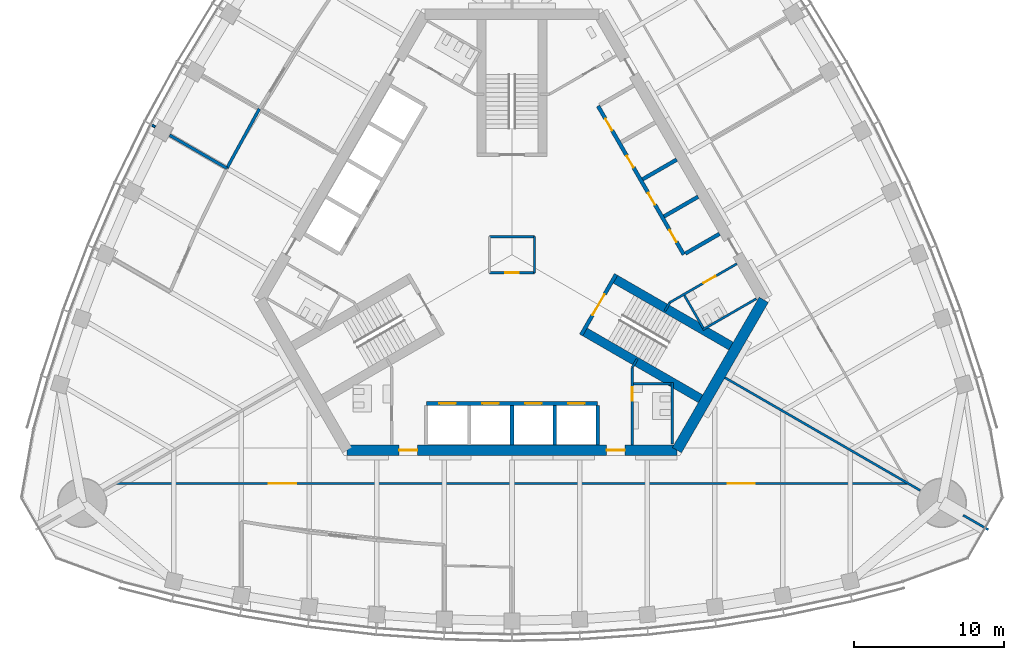
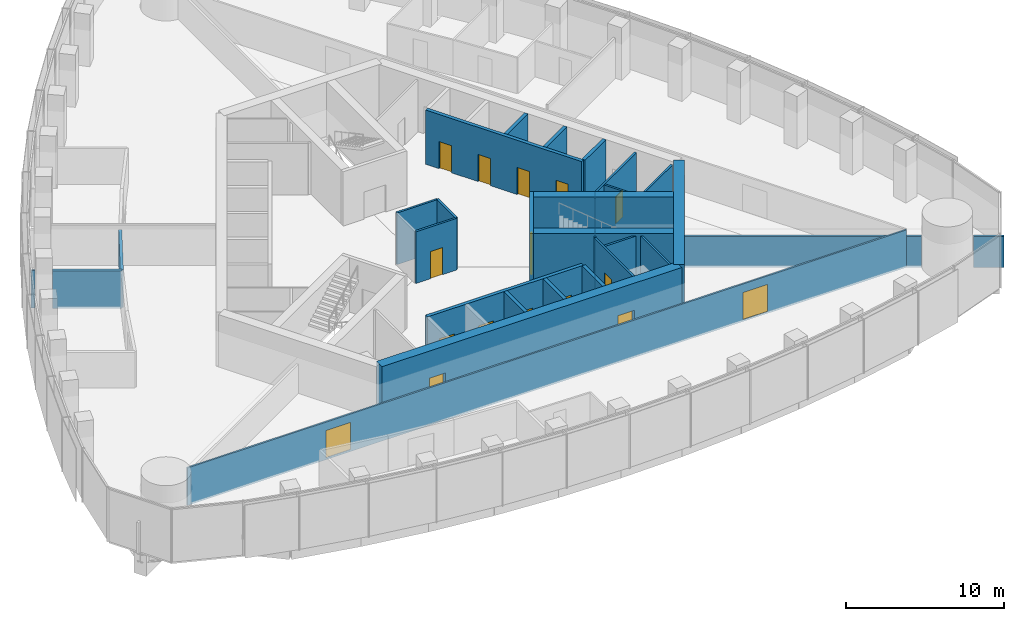
# One storey, part 12 of 19: 30 walls, 16 doors, 16 openings.
"""IFC4 building model written with IfcOpenShell, lengths in metres."""

from ifc_helpers import new_model, si_unit, direction, frame, frame_2d, origin, place, context, subcontext, project, spatial, rectangle, extrude, material, layer, layer_set, type_object, element, fill, save


model = new_model("IFC4")

# Units and contexts
model_context = context("Model", 3, precision=1e-05, world=origin(), true_north=direction((0.0, 1.0)))
body_context = subcontext(model_context, "Body", "Model", "MODEL_VIEW")
ifc_project = project(units=[si_unit("LENGTHUNIT", "METRE"), si_unit("AREAUNIT", "SQUARE_METRE"), si_unit("VOLUMEUNIT", "CUBIC_METRE"), si_unit("PLANEANGLEUNIT", "RADIAN"), si_unit("MASSUNIT", "GRAM", prefix="KILO")], contexts=[model_context])

# Site, building, storey
site_placement = place(None, origin())
site = spatial("IfcSite", under=ifc_project, at=site_placement, CompositionType="ELEMENT")
building_placement = place(site_placement, origin())
building = spatial("IfcBuilding", under=site, at=building_placement, Name="Trefoil Bronze Tower", CompositionType="ELEMENT")
storey_placement = place(building_placement, frame((0.0, 0.0, 227.5)))
storey = spatial("IfcBuildingStorey", under=building, at=storey_placement, Name="L52", CompositionType="ELEMENT", Elevation=227.5)

# Walls
ifc_material_1 = material(Name="Gypsum board on steel studs", Category="steel")
ifc_layer_1 = layer(ifc_material_1, 0.199951171875)
ifc_layer_set_1 = layer_set([ifc_layer_1], Name="Acoustic partition 200")
wall_type_1 = type_object("IfcWallType", Name="Acoustic partition 200", PredefinedType="PARTITIONING", material=ifc_layer_set_1)
wall_1_placement = place(storey_placement, frame((-16.801513671875, 9.700439453125, 0.0), z_axis=(0.0, 0.0, 1.0), x_axis=(-0.479949984371, -0.877295852322, 0.0)))
element("IfcWall", 1, at=wall_1_placement, inside=storey, type_object=wall_type_1, Name="Partition F3 L52", PredefinedType="PARTITIONING", context=body_context, shape_type="SweptSolid", body=[
    extrude(rectangle(XDim=4.501220703125, YDim=0.199951171875, at=frame_2d((2.25048828125, 0.0))), origin(), (0.0, 0.0, 1.0), 2.89990234375),
])
wall_2_placement = place(storey_placement, frame((-18.9619140625, 5.75146484375, 0.0), z_axis=(0.0, 0.0, 1.0), x_axis=(-0.866025498715, 0.499999835575, 0.0)))
element("IfcWall", 2, at=wall_2_placement, inside=storey, type_object=wall_type_1, Name="Partition F3 L52", PredefinedType="PARTITIONING", context=body_context, shape_type="SweptSolid", body=[
    extrude(rectangle(XDim=4.3935546875, YDim=0.199951171875, at=frame_2d((2.19677734375, 0.0))), origin(), (0.0, 0.0, 1.0), 2.89990234375),
])

# Wall, openings, doors
ifc_material_2 = material(Name="Concrete B80", Category="concrete")
ifc_layer_2 = layer(ifc_material_2, 0.699951171875)
ifc_layer_set_2 = layer_set([ifc_layer_2], Name="Core wall 700")
wall_type_2 = type_object("IfcWallType", Name="Core wall 700", PredefinedType="SHEAR", material=ifc_layer_set_2)
wall_3_placement = place(storey_placement, frame((-10.9697265625, -13.0, 0.0), z_axis=(0.0, 0.0, 1.0), x_axis=(1.0, 0.0, 0.0)))
wall_3 = element("IfcWall", 3, at=wall_3_placement, inside=storey, type_object=wall_type_2, Name="Core long wall 1 L52", PredefinedType="SHEAR", context=body_context, shape_type="SweptSolid", body=[
    extrude(rectangle(XDim=21.939453125, YDim=0.699951171875, at=frame_2d((10.9697265625, 0.0))), origin(), (0.0, 0.0, 1.0), 4.199951171875),
])
opening_1_placement = place(wall_3_placement, frame((17.269775390625, 0.0, 0.0)))
opening_1 = element("IfcOpeningElement", 4, at=opening_1_placement, cuts=wall_3, Name="Opening D2", PredefinedType="OPENING", context=body_context, shape_type="SweptSolid", body=[
    extrude(rectangle(XDim=1.199951171875, YDim=2.10009765625, at=frame_2d((0.60009765625, 1.050048828125))), frame((0.0, 0.35986328125, 0.0), z_axis=(0.0, -1.0, 0.0), x_axis=(1.0, 0.0, 0.0)), (0.0, 0.0, 1.0), 0.719970703125),
])
opening_2_placement = place(wall_3_placement, frame((3.4697265625, 0.0, 0.0)))
opening_2 = element("IfcOpeningElement", 5, at=opening_2_placement, cuts=wall_3, Name="Opening D2", PredefinedType="OPENING", context=body_context, shape_type="SweptSolid", body=[
    extrude(rectangle(XDim=1.199951171875, YDim=2.10009765625, at=frame_2d((0.60009765625, 1.050048828125))), frame((0.0, 0.35986328125, 0.0), z_axis=(0.0, -1.0, 0.0), x_axis=(1.0, 0.0, 0.0)), (0.0, 0.0, 1.0), 0.719970703125),
])
ifc_material_3 = material(Name="Steel door", Category="steel")
door_type_1 = type_object("IfcDoorType", Name="Lobby door 1200", OperationType="SINGLE_SWING_RIGHT", PredefinedType="DOOR", material=ifc_material_3)
door_1_placement = place(opening_1_placement, origin())
door_1 = element("IfcDoor", 6, at=door_1_placement, inside=storey, type_object=door_type_1, Name="Lobby door F1+ L52", OperationType="SINGLE_SWING_RIGHT", OverallHeight=2.10009765625, OverallWidth=1.199951171875, PredefinedType="DOOR", context=body_context, shape_type="SweptSolid", body=[
    extrude(rectangle(XDim=1.199951171875, YDim=2.10009765625, at=frame_2d((0.60009765625, 1.050048828125))), frame((0.0, 0.02490234375, 0.0), z_axis=(0.0, -1.0, 0.0), x_axis=(1.0, 0.0, 0.0)), (0.0, 0.0, 1.0), 0.050048828125),
])
fill(opening_1, door_1)
door_2_placement = place(opening_2_placement, origin())
door_2 = element("IfcDoor", 7, at=door_2_placement, inside=storey, type_object=door_type_1, Name="Lobby door F1- L52", OperationType="SINGLE_SWING_LEFT", OverallHeight=2.10009765625, OverallWidth=1.199951171875, PredefinedType="DOOR", context=body_context, shape_type="SweptSolid", body=[
    extrude(rectangle(XDim=1.199951171875, YDim=2.10009765625, at=frame_2d((0.60009765625, 1.050048828125))), frame((0.0, 0.02490234375, 0.0), z_axis=(0.0, -1.0, 0.0), x_axis=(1.0, 0.0, 0.0)), (0.0, 0.0, 1.0), 0.050048828125),
])
fill(opening_2, door_2)

# Wall
wall_4_placement = place(storey_placement, frame((10.9697265625, -13.0, 0.0), z_axis=(0.0, 0.0, 1.0), x_axis=(0.499995765644, 0.866027848477, 0.0)))
element("IfcWall", 8, at=wall_4_placement, inside=storey, type_object=wall_type_2, Name="Core short wall 1 L52", PredefinedType="SHEAR", context=body_context, shape_type="SweptSolid", body=[
    extrude(rectangle(XDim=11.546875, YDim=0.699951171875, at=frame_2d((5.7734375, 0.0))), origin(), (0.0, 0.0, 1.0), 4.199951171875),
])

# Wall, openings, doors
ifc_material_4 = material(Name="Glazed partition", Category="glass")
ifc_layer_3 = layer(ifc_material_4, 0.1201171875)
ifc_layer_set_3 = layer_set([ifc_layer_3], Name="Glazed partition 120")
wall_type_3 = type_object("IfcWallType", Name="Glazed partition 120", PredefinedType="PARTITIONING", material=ifc_layer_set_3)
wall_5_placement = place(storey_placement, frame((-26.311767578125, -15.2099609375, 0.0), z_axis=(0.0, 0.0, 1.0), x_axis=(1.0, 0.0, 0.0)))
wall_5 = element("IfcWall", 9, at=wall_5_placement, inside=storey, type_object=wall_type_3, Name="Partition F1 L52", PredefinedType="PARTITIONING", context=body_context, shape_type="SweptSolid", body=[
    extrude(rectangle(XDim=52.62353515625, YDim=0.1201171875, at=frame_2d((26.311767578125, 0.0))), origin(), (0.0, 0.0, 1.0), 2.89990234375),
])
opening_3_placement = place(wall_5_placement, frame((10.14990234375, 0.0, 0.14990234375)))
opening_3 = element("IfcOpeningElement", 10, at=opening_3_placement, cuts=wall_5, Name="Opening D10", PredefinedType="OPENING", context=body_context, shape_type="SweptSolid", body=[
    extrude(rectangle(XDim=1.800048828125, YDim=2.10009765625, at=frame_2d((0.89990234375, 1.050048828125))), frame((0.0, 0.070068359375, 0.0), z_axis=(0.0, -1.0, 0.0), x_axis=(1.0, 0.0, 0.0)), (0.0, 0.0, 1.0), 0.14013671875),
])
opening_4_placement = place(wall_5_placement, frame((40.64990234375, 0.0, 0.14990234375)))
opening_4 = element("IfcOpeningElement", 11, at=opening_4_placement, cuts=wall_5, Name="Opening D10", PredefinedType="OPENING", context=body_context, shape_type="SweptSolid", body=[
    extrude(rectangle(XDim=1.800048828125, YDim=2.10009765625, at=frame_2d((0.89990234375, 1.050048828125))), frame((0.0, 0.070068359375, 0.0), z_axis=(0.0, -1.0, 0.0), x_axis=(1.0, 0.0, 0.0)), (0.0, 0.0, 1.0), 0.14013671875),
])
ifc_material_5 = material(Name="Timber door", Category="wood")
door_type_2 = type_object("IfcDoorType", Name="Double door 1800", OperationType="DOUBLE_DOOR_SINGLE_SWING", PredefinedType="DOOR", material=ifc_material_5)
door_3_placement = place(opening_3_placement, origin())
door_3 = element("IfcDoor", 12, at=door_3_placement, inside=storey, type_object=door_type_2, Name="Corridor door F1 L52", OperationType="DOUBLE_DOOR_SINGLE_SWING", OverallHeight=2.10009765625, OverallWidth=1.800048828125, PredefinedType="DOOR", context=body_context, shape_type="SweptSolid", body=[
    extrude(rectangle(XDim=1.800048828125, YDim=2.10009765625, at=frame_2d((0.89990234375, 1.050048828125))), frame((0.0, 0.02490234375, 0.0), z_axis=(0.0, -1.0, 0.0), x_axis=(1.0, 0.0, 0.0)), (0.0, 0.0, 1.0), 0.050048828125),
])
fill(opening_3, door_3)
door_4_placement = place(opening_4_placement, origin())
door_4 = element("IfcDoor", 13, at=door_4_placement, inside=storey, type_object=door_type_2, Name="Corridor door F1 L52", OperationType="DOUBLE_DOOR_SINGLE_SWING", OverallHeight=2.10009765625, OverallWidth=1.800048828125, PredefinedType="DOOR", context=body_context, shape_type="SweptSolid", body=[
    extrude(rectangle(XDim=1.800048828125, YDim=2.10009765625, at=frame_2d((0.89990234375, 1.050048828125))), frame((0.0, 0.02490234375, 0.0), z_axis=(0.0, -1.0, 0.0), x_axis=(1.0, 0.0, 0.0)), (0.0, 0.0, 1.0), 0.050048828125),
])
fill(opening_4, door_4)

# Wall, opening, door
ifc_material_6 = material(Name="Gypsum board on steel studs", Category="steel")
ifc_layer_4 = layer(ifc_material_6, 0.14990234375)
ifc_layer_set_4 = layer_set([ifc_layer_4], Name="Partition 150")
wall_type_4 = type_object("IfcWallType", Name="Partition 150", PredefinedType="PARTITIONING", material=ifc_layer_set_4)
wall_6_placement = place(storey_placement, frame((8.0, -7.5, 0.0), z_axis=(0.0, 0.0, 1.0), x_axis=(0.0, -1.0, 0.0)))
wall_6 = element("IfcWall", 14, at=wall_6_placement, inside=storey, type_object=wall_type_4, Name="Passage wall F1+ L52", PredefinedType="PARTITIONING", context=body_context, shape_type="SweptSolid", body=[
    extrude(rectangle(XDim=5.14990234375, YDim=0.14990234375, at=frame_2d((2.574951171875, 0.0))), origin(), (0.0, 0.0, 1.0), 4.0),
])
opening_5_placement = place(wall_6_placement, frame((1.300048828125, 0.0, 0.0)))
opening_5 = element("IfcOpeningElement", 15, at=opening_5_placement, cuts=wall_6, Name="Opening D3", PredefinedType="OPENING", context=body_context, shape_type="SweptSolid", body=[
    extrude(rectangle(XDim=0.89990234375, YDim=2.10009765625, at=frame_2d((0.449951171875, 1.050048828125))), frame((0.0, 0.0849609375, 0.0), z_axis=(0.0, -1.0, 0.0), x_axis=(1.0, 0.0, 0.0)), (0.0, 0.0, 1.0), 0.169921875),
])
ifc_material_7 = material(Name="Timber door", Category="wood")
door_type_3 = type_object("IfcDoorType", Name="WC door 900", OperationType="SINGLE_SWING_LEFT", PredefinedType="DOOR", material=ifc_material_7)
door_5_placement = place(opening_5_placement, origin())
door_5 = element("IfcDoor", 16, at=door_5_placement, inside=storey, type_object=door_type_3, Name="WC (men) door L52", OperationType="SINGLE_SWING_LEFT", OverallHeight=2.10009765625, OverallWidth=0.89990234375, PredefinedType="DOOR", context=body_context, shape_type="SweptSolid", body=[
    extrude(rectangle(XDim=0.89990234375, YDim=2.10009765625, at=frame_2d((0.449951171875, 1.050048828125))), frame((0.0, 0.02490234375, 0.0), z_axis=(0.0, -1.0, 0.0), x_axis=(1.0, 0.0, 0.0)), (0.0, 0.0, 1.0), 0.050048828125),
])
fill(opening_5, door_5)

wall_7_placement = place(storey_placement, frame((10.4951171875, -3.17822265625, 0.0), z_axis=(0.0, 0.0, 1.0), x_axis=(0.866037967349, 0.499978238636, 0.0)))
wall_7 = element("IfcWall", 17, at=wall_7_placement, inside=storey, type_object=wall_type_4, Name="Passage wall F2- L52", PredefinedType="PARTITIONING", context=body_context, shape_type="SweptSolid", body=[
    extrude(rectangle(XDim=5.150146484375, YDim=0.14990234375, at=frame_2d((2.5751953125, 0.0))), origin(), (0.0, 0.0, 1.0), 4.0),
])
opening_6_placement = place(wall_7_placement, frame((2.60009765625, 0.0, 0.0)))
opening_6 = element("IfcOpeningElement", 18, at=opening_6_placement, cuts=wall_7, Name="Opening D3", PredefinedType="OPENING", context=body_context, shape_type="SweptSolid", body=[
    extrude(rectangle(XDim=0.89990234375, YDim=2.10009765625, at=frame_2d((0.449951171875, 1.050048828125))), frame((0.0, 0.0849609375, 0.0), z_axis=(0.0, -1.0, 0.0), x_axis=(1.0, 0.0, 0.0)), (0.0, 0.0, 1.0), 0.169921875),
])
door_6_placement = place(opening_6_placement, frame((0.89990234375, 0.0, 0.0), z_axis=(0.0, 0.0, 1.0), x_axis=(-1.0, 0.0, 0.0)))
door_6 = element("IfcDoor", 19, at=door_6_placement, inside=storey, type_object=door_type_3, Name="WC (women) door L52", OperationType="SINGLE_SWING_RIGHT", OverallHeight=2.10009765625, OverallWidth=0.89990234375, PredefinedType="DOOR", context=body_context, shape_type="SweptSolid", body=[
    extrude(rectangle(XDim=0.89990234375, YDim=2.10009765625, at=frame_2d((0.449951171875, 1.050048828125))), frame((0.0, 0.02490234375, 0.0), z_axis=(0.0, -1.0, 0.0), x_axis=(1.0, 0.0, 0.0)), (0.0, 0.0, 1.0), 0.050048828125),
])
fill(opening_6, door_6)

# Walls
for number, where, z_axis, x_axis, name in (
    (20, (8.0, -7.5, 0.0), (0.0, 0.0, 1.0), (0.499842556608, 0.866116284689, 0.0), "WC wall ST1-1 L52"),
    (21, (10.4951171875, -3.17822265625, 0.0), (0.0, 0.0, 1.0), (-0.499842556608, -0.866116284689, 0.0), "WC wall ST1+1 L52"),
):
    element("IfcWall", number, at=place(storey_placement, frame(where, z_axis=z_axis, x_axis=x_axis)), inside=storey, type_object=wall_type_4, Name=name, PredefinedType="PARTITIONING", context=body_context, shape_type="SweptSolid", body=[
        extrude(rectangle(XDim=0.645263671875, YDim=0.14990234375, at=frame_2d((0.32275390625, 0.0))), origin(), (0.0, 0.0, 1.0), 4.0),
    ])
wall_8_placement = place(storey_placement, frame((10.659912109375, -8.5, 0.0), z_axis=(0.0, 0.0, 1.0), x_axis=(0.0, -1.0, 0.0)))
element("IfcWall", 22, at=wall_8_placement, inside=storey, type_object=wall_type_4, Name="WC partition WC (men) L52", PredefinedType="PARTITIONING", context=body_context, shape_type="SweptSolid", body=[
    extrude(rectangle(XDim=4.10009765625, YDim=0.14990234375, at=frame_2d((2.050048828125, 0.0))), origin(), (0.0, 0.0, 1.0), 4.0),
])
wall_9_placement = place(storey_placement, frame((8.074951171875, -8.574951171875, 0.0), z_axis=(0.0, 0.0, 1.0), x_axis=(1.0, 0.0, 0.0)))
element("IfcWall", 23, at=wall_9_placement, inside=storey, type_object=wall_type_4, Name="WC partition WC (men) L52", PredefinedType="PARTITIONING", context=body_context, shape_type="SweptSolid", body=[
    extrude(rectangle(XDim=2.510009765625, YDim=0.14990234375, at=frame_2d((1.2548828125, 0.0))), origin(), (0.0, 0.0, 1.0), 4.0),
])
wall_10_placement = place(storey_placement, frame((12.691162109375, -4.98193359375, 0.0), z_axis=(0.0, 0.0, 1.0), x_axis=(0.8660249478, 0.500000789788, 0.0)))
element("IfcWall", 24, at=wall_10_placement, inside=storey, type_object=wall_type_4, Name="WC partition WC (women) L52", PredefinedType="PARTITIONING", context=body_context, shape_type="SweptSolid", body=[
    extrude(rectangle(XDim=4.10009765625, YDim=0.14990234375, at=frame_2d((2.050048828125, 0.0))), origin(), (0.0, 0.0, 1.0), 4.0),
])
wall_11_placement = place(storey_placement, frame((11.463623046875, -2.70556640625, 0.0), z_axis=(0.0, 0.0, 1.0), x_axis=(0.50001992892, -0.866013897511, 0.0)))
element("IfcWall", 25, at=wall_11_placement, inside=storey, type_object=wall_type_4, Name="WC partition WC (women) L52", PredefinedType="PARTITIONING", context=body_context, shape_type="SweptSolid", body=[
    extrude(rectangle(XDim=2.51025390625, YDim=0.14990234375, at=frame_2d((1.255126953125, 0.0))), origin(), (0.0, 0.0, 1.0), 4.0),
])
wall_12_placement = place(storey_placement, frame((-23.7265625, 8.50244140625, 0.0), z_axis=(0.0, 0.0, 1.0), x_axis=(-0.866135455726, 0.499809335981, 0.0)))
element("IfcWall", 26, at=wall_12_placement, inside=storey, type_object=wall_type_4, Name="Partition F3 L52", PredefinedType="PARTITIONING", context=body_context, shape_type="SweptSolid", body=[
    extrude(rectangle(XDim=0.2431640625, YDim=0.14990234375, at=frame_2d((0.12158203125, 0.0))), origin(), (0.0, 0.0, 1.0), 2.89990234375),
])
ifc_material_8 = material(Name="Gypsum board on steel studs", Category="steel")
ifc_layer_5 = layer(ifc_material_8, 0.14990234375)
ifc_layer_set_5 = layer_set([ifc_layer_5], Name="Party wall 150")
wall_type_5 = type_object("IfcWallType", Name="Party wall 150", PredefinedType="PARTITIONING", material=ifc_layer_set_5)
wall_13_placement = place(storey_placement, frame((14.159423828125, -8.175048828125, 0.0), z_axis=(0.0, 0.0, 1.0), x_axis=(0.866027028085, -0.499997186618, 0.0)))
element("IfcWall", 27, at=wall_13_placement, inside=storey, type_object=wall_type_5, Name="Party wall K1 L52", PredefinedType="PARTITIONING", context=body_context, shape_type="SweptSolid", body=[
    extrude(rectangle(XDim=15.0, YDim=0.14990234375, at=frame_2d((7.5, 0.0))), origin(), (0.0, 0.0, 1.0), 2.39990234375),
])
wall_14_placement = place(storey_placement, frame((30.0078125, -17.324951171875, 0.0), z_axis=(0.0, 0.0, 1.0), x_axis=(0.866013246922, -0.500021055713, 0.0)))
element("IfcWall", 28, at=wall_14_placement, inside=storey, type_object=wall_type_5, Name="Party wall K1 L52", PredefinedType="PARTITIONING", context=body_context, shape_type="SweptSolid", body=[
    extrude(rectangle(XDim=1.9345703125, YDim=0.14990234375, at=frame_2d((0.96728515625, 0.0))), origin(), (0.0, 0.0, 1.0), 2.39990234375),
])

# Wall, opening, door
ifc_material_9 = material(Name="Gypsum board on steel studs", Category="steel")
ifc_layer_6 = layer(ifc_material_9, 0.14990234375)
ifc_layer_set_6 = layer_set([ifc_layer_6], Name="Riser wall 150")
wall_type_6 = type_object("IfcWallType", Name="Riser wall 150", PredefinedType="PARTITIONING", material=ifc_layer_set_6)
wall_15_placement = place(storey_placement, frame((-1.5, -1.199951171875, 0.0), z_axis=(0.0, 0.0, 1.0), x_axis=(1.0, 0.0, 0.0)))
wall_15 = element("IfcWall", 29, at=wall_15_placement, inside=storey, type_object=wall_type_6, Name="Riser wall L52", PredefinedType="PARTITIONING", context=body_context, shape_type="SweptSolid", body=[
    extrude(rectangle(XDim=3.0, YDim=0.14990234375, at=frame_2d((1.5, 0.0))), origin(), (0.0, 0.0, 1.0), 4.0),
])
opening_7_placement = place(wall_15_placement, frame((1.050048828125, 0.0, 0.0)))
opening_7 = element("IfcOpeningElement", 30, at=opening_7_placement, cuts=wall_15, Name="Opening D4", PredefinedType="OPENING", context=body_context, shape_type="SweptSolid", body=[
    extrude(rectangle(XDim=0.89990234375, YDim=2.10009765625, at=frame_2d((0.449951171875, 1.050048828125))), frame((0.0, 0.0849609375, 0.0), z_axis=(0.0, -1.0, 0.0), x_axis=(1.0, 0.0, 0.0)), (0.0, 0.0, 1.0), 0.169921875),
])
ifc_material_10 = material(Name="Steel door", Category="steel")
door_type_4 = type_object("IfcDoorType", Name="Riser door 900", OperationType="SINGLE_SWING_LEFT", PredefinedType="DOOR", material=ifc_material_10)
door_7_placement = place(opening_7_placement, frame((0.89990234375, 0.0, 0.0), z_axis=(0.0, 0.0, 1.0), x_axis=(-1.0, 0.0, 0.0)))
door_7 = element("IfcDoor", 31, at=door_7_placement, inside=storey, type_object=door_type_4, Name="Riser door L52", OperationType="SINGLE_SWING_LEFT", OverallHeight=2.10009765625, OverallWidth=0.89990234375, PredefinedType="DOOR", context=body_context, shape_type="SweptSolid", body=[
    extrude(rectangle(XDim=0.89990234375, YDim=2.10009765625, at=frame_2d((0.449951171875, 1.050048828125))), frame((0.0, 0.02490234375, 0.0), z_axis=(0.0, -1.0, 0.0), x_axis=(1.0, 0.0, 0.0)), (0.0, 0.0, 1.0), 0.050048828125),
])
fill(opening_7, door_7)

# Walls
wall_16_placement = place(storey_placement, frame((1.5, -1.199951171875, 0.0), z_axis=(0.0, 0.0, 1.0), x_axis=(0.0, 1.0, 0.0)))
element("IfcWall", 32, at=wall_16_placement, inside=storey, type_object=wall_type_6, Name="Riser wall L52", PredefinedType="PARTITIONING", context=body_context, shape_type="SweptSolid", body=[
    extrude(rectangle(XDim=2.39990234375, YDim=0.14990234375, at=frame_2d((1.199951171875, 0.0))), origin(), (0.0, 0.0, 1.0), 4.0),
])
wall_17_placement = place(storey_placement, frame((1.5, 1.199951171875, 0.0), z_axis=(0.0, 0.0, 1.0), x_axis=(-1.0, 0.0, 0.0)))
element("IfcWall", 33, at=wall_17_placement, inside=storey, type_object=wall_type_6, Name="Riser wall L52", PredefinedType="PARTITIONING", context=body_context, shape_type="SweptSolid", body=[
    extrude(rectangle(XDim=3.0, YDim=0.14990234375, at=frame_2d((1.5, 0.0))), origin(), (0.0, 0.0, 1.0), 4.0),
])

# Wall, openings, doors
ifc_material_11 = material(Name="Concrete B80", Category="concrete")
ifc_layer_7 = layer(ifc_material_11, 0.25)
ifc_layer_set_7 = layer_set([ifc_layer_7], Name="Shaft wall 250")
wall_type_7 = type_object("IfcWallType", Name="Shaft wall 250", PredefinedType="SHEAR", material=ifc_layer_set_7)
wall_18_placement = place(storey_placement, frame((-5.699951171875, -9.89990234375, 0.0), z_axis=(0.0, 0.0, 1.0), x_axis=(1.0, 0.0, 0.0)))
wall_18 = element("IfcWall", 34, at=wall_18_placement, inside=storey, type_object=wall_type_7, Name="Lift shaft front wall A L52", PredefinedType="SHEAR", context=body_context, shape_type="SweptSolid", body=[
    extrude(rectangle(XDim=11.39990234375, YDim=0.25, at=frame_2d((5.699951171875, 0.0))), origin(), (0.0, 0.0, 1.0), 4.199951171875),
])
opening_8_placement = place(wall_18_placement, frame((0.875, 0.0, 0.0)))
opening_8 = element("IfcOpeningElement", 35, at=opening_8_placement, cuts=wall_18, Name="Opening LD-P31", PredefinedType="OPENING", context=body_context, shape_type="SweptSolid", body=[
    extrude(rectangle(XDim=1.10009765625, YDim=2.199951171875, at=frame_2d((0.550048828125, 1.10009765625))), frame((0.0, 0.135009765625, 0.0), z_axis=(0.0, -1.0, 0.0), x_axis=(1.0, 0.0, 0.0)), (0.0, 0.0, 1.0), 0.27001953125),
])
opening_9_placement = place(wall_18_placement, frame((3.72509765625, 0.0, 0.0)))
opening_9 = element("IfcOpeningElement", 36, at=opening_9_placement, cuts=wall_18, Name="Opening LD-P32", PredefinedType="OPENING", context=body_context, shape_type="SweptSolid", body=[
    extrude(rectangle(XDim=1.10009765625, YDim=2.199951171875, at=frame_2d((0.550048828125, 1.10009765625))), frame((0.0, 0.135009765625, 0.0), z_axis=(0.0, -1.0, 0.0), x_axis=(1.0, 0.0, 0.0)), (0.0, 0.0, 1.0), 0.27001953125),
])
opening_10_placement = place(wall_18_placement, frame((6.574951171875, 0.0, 0.0)))
opening_10 = element("IfcOpeningElement", 37, at=opening_10_placement, cuts=wall_18, Name="Opening LD-P33", PredefinedType="OPENING", context=body_context, shape_type="SweptSolid", body=[
    extrude(rectangle(XDim=1.10009765625, YDim=2.199951171875, at=frame_2d((0.550048828125, 1.10009765625))), frame((0.0, 0.135009765625, 0.0), z_axis=(0.0, -1.0, 0.0), x_axis=(1.0, 0.0, 0.0)), (0.0, 0.0, 1.0), 0.27001953125),
])
opening_11_placement = place(wall_18_placement, frame((9.425048828125, 0.0, 0.0)))
opening_11 = element("IfcOpeningElement", 38, at=opening_11_placement, cuts=wall_18, Name="Opening LD-P34", PredefinedType="OPENING", context=body_context, shape_type="SweptSolid", body=[
    extrude(rectangle(XDim=1.10009765625, YDim=2.199951171875, at=frame_2d((0.550048828125, 1.10009765625))), frame((0.0, 0.135009765625, 0.0), z_axis=(0.0, -1.0, 0.0), x_axis=(1.0, 0.0, 0.0)), (0.0, 0.0, 1.0), 0.27001953125),
])
ifc_material_12 = material(Name="Steel door", Category="steel")
door_type_5 = type_object("IfcDoorType", Name="Lift landing door 1100", OperationType="DOUBLE_DOOR_SLIDING", PredefinedType="DOOR", material=ifc_material_12)
door_8_placement = place(opening_8_placement, origin())
door_8 = element("IfcDoor", 39, at=door_8_placement, inside=storey, type_object=door_type_5, Name="Lift P31 landing door L52", OperationType="DOUBLE_DOOR_SLIDING", OverallHeight=2.199951171875, OverallWidth=1.10009765625, PredefinedType="DOOR", context=body_context, shape_type="SweptSolid", body=[
    extrude(rectangle(XDim=1.10009765625, YDim=2.199951171875, at=frame_2d((0.550048828125, 1.10009765625))), frame((0.0, 0.02490234375, 0.0), z_axis=(0.0, -1.0, 0.0), x_axis=(1.0, 0.0, 0.0)), (0.0, 0.0, 1.0), 0.050048828125),
])
fill(opening_8, door_8)
door_9_placement = place(opening_9_placement, origin())
door_9 = element("IfcDoor", 40, at=door_9_placement, inside=storey, type_object=door_type_5, Name="Lift P32 landing door L52", OperationType="DOUBLE_DOOR_SLIDING", OverallHeight=2.199951171875, OverallWidth=1.10009765625, PredefinedType="DOOR", context=body_context, shape_type="SweptSolid", body=[
    extrude(rectangle(XDim=1.10009765625, YDim=2.199951171875, at=frame_2d((0.550048828125, 1.10009765625))), frame((0.0, 0.02490234375, 0.0), z_axis=(0.0, -1.0, 0.0), x_axis=(1.0, 0.0, 0.0)), (0.0, 0.0, 1.0), 0.050048828125),
])
fill(opening_9, door_9)
door_10_placement = place(opening_10_placement, origin())
door_10 = element("IfcDoor", 41, at=door_10_placement, inside=storey, type_object=door_type_5, Name="Lift P33 landing door L52", OperationType="DOUBLE_DOOR_SLIDING", OverallHeight=2.199951171875, OverallWidth=1.10009765625, PredefinedType="DOOR", context=body_context, shape_type="SweptSolid", body=[
    extrude(rectangle(XDim=1.10009765625, YDim=2.199951171875, at=frame_2d((0.550048828125, 1.10009765625))), frame((0.0, 0.02490234375, 0.0), z_axis=(0.0, -1.0, 0.0), x_axis=(1.0, 0.0, 0.0)), (0.0, 0.0, 1.0), 0.050048828125),
])
fill(opening_10, door_10)
door_11_placement = place(opening_11_placement, origin())
door_11 = element("IfcDoor", 42, at=door_11_placement, inside=storey, type_object=door_type_5, Name="Lift P34 landing door L52", OperationType="DOUBLE_DOOR_SLIDING", OverallHeight=2.199951171875, OverallWidth=1.10009765625, PredefinedType="DOOR", context=body_context, shape_type="SweptSolid", body=[
    extrude(rectangle(XDim=1.10009765625, YDim=2.199951171875, at=frame_2d((0.550048828125, 1.10009765625))), frame((0.0, 0.02490234375, 0.0), z_axis=(0.0, -1.0, 0.0), x_axis=(1.0, 0.0, 0.0)), (0.0, 0.0, 1.0), 0.050048828125),
])
fill(opening_11, door_11)

# Walls
for number, where, z_axis, x_axis, name in (
    (43, (0.0, -10.02490234375, 0.0), (0.0, 0.0, 1.0), (0.0, -1.0, 0.0), "Lift shaft side wall A2 L52"),
    (44, (2.85009765625, -10.02490234375, 0.0), (0.0, 0.0, 1.0), (0.0, -1.0, 0.0), "Lift shaft side wall A3 L52"),
    (45, (5.699951171875, -10.02490234375, 0.0), (0.0, 0.0, 1.0), (0.0, -1.0, 0.0), "Lift shaft side wall A4 L52"),
):
    element("IfcWall", number, at=place(storey_placement, frame(where, z_axis=z_axis, x_axis=x_axis)), inside=storey, type_object=wall_type_7, Name=name, PredefinedType="SHEAR", context=body_context, shape_type="SweptSolid", body=[
        extrude(rectangle(XDim=2.625, YDim=0.25, at=frame_2d((1.3125, 0.0))), origin(), (0.0, 0.0, 1.0), 4.199951171875),
    ])

# Wall, openings, doors
wall_19_placement = place(storey_placement, frame((11.423583984375, 0.013671875, 0.0), z_axis=(0.0, 0.0, 1.0), x_axis=(-0.500001763848, 0.866024385424, 0.0)))
wall_19 = element("IfcWall", 46, at=wall_19_placement, inside=storey, type_object=wall_type_7, Name="Lift shaft front wall B L52", PredefinedType="SHEAR", context=body_context, shape_type="SweptSolid", body=[
    extrude(rectangle(XDim=11.39990234375, YDim=0.25, at=frame_2d((5.699951171875, 0.0))), origin(), (0.0, 0.0, 1.0), 4.199951171875),
])
opening_12_placement = place(wall_19_placement, frame((0.97509765625, 0.0, 0.0)))
opening_12 = element("IfcOpeningElement", 47, at=opening_12_placement, cuts=wall_19, Name="Opening D12", PredefinedType="OPENING", context=body_context, shape_type="SweptSolid", body=[
    extrude(rectangle(XDim=0.89990234375, YDim=2.10009765625, at=frame_2d((0.449951171875, 1.050048828125))), frame((0.0, 0.135009765625, 0.0), z_axis=(0.0, -1.0, 0.0), x_axis=(1.0, 0.0, 0.0)), (0.0, 0.0, 1.0), 0.27001953125),
])
opening_13_placement = place(wall_19_placement, frame((3.824951171875, 0.0, 0.0)))
opening_13 = element("IfcOpeningElement", 48, at=opening_13_placement, cuts=wall_19, Name="Opening D12", PredefinedType="OPENING", context=body_context, shape_type="SweptSolid", body=[
    extrude(rectangle(XDim=0.89990234375, YDim=2.10009765625, at=frame_2d((0.449951171875, 1.050048828125))), frame((0.0, 0.135009765625, 0.0), z_axis=(0.0, -1.0, 0.0), x_axis=(1.0, 0.0, 0.0)), (0.0, 0.0, 1.0), 0.27001953125),
])
opening_14_placement = place(wall_19_placement, frame((6.675048828125, 0.0, 0.0)))
opening_14 = element("IfcOpeningElement", 49, at=opening_14_placement, cuts=wall_19, Name="Opening D12", PredefinedType="OPENING", context=body_context, shape_type="SweptSolid", body=[
    extrude(rectangle(XDim=0.89990234375, YDim=2.10009765625, at=frame_2d((0.449951171875, 1.050048828125))), frame((0.0, 0.135009765625, 0.0), z_axis=(0.0, -1.0, 0.0), x_axis=(1.0, 0.0, 0.0)), (0.0, 0.0, 1.0), 0.27001953125),
])
opening_15_placement = place(wall_19_placement, frame((9.52490234375, 0.0, 0.0)))
opening_15 = element("IfcOpeningElement", 50, at=opening_15_placement, cuts=wall_19, Name="Opening D12", PredefinedType="OPENING", context=body_context, shape_type="SweptSolid", body=[
    extrude(rectangle(XDim=0.89990234375, YDim=2.10009765625, at=frame_2d((0.449951171875, 1.050048828125))), frame((0.0, 0.135009765625, 0.0), z_axis=(0.0, -1.0, 0.0), x_axis=(1.0, 0.0, 0.0)), (0.0, 0.0, 1.0), 0.27001953125),
])
ifc_material_13 = material(Name="Steel door", Category="steel")
door_type_6 = type_object("IfcDoorType", Name="Shaft room door 900", OperationType="SINGLE_SWING_LEFT", PredefinedType="DOOR", material=ifc_material_13)
door_12_placement = place(opening_12_placement, frame((0.89990234375, 0.0, 0.0), z_axis=(0.0, 0.0, 1.0), x_axis=(-1.0, 0.0, 0.0)))
door_12 = element("IfcDoor", 51, at=door_12_placement, inside=storey, type_object=door_type_6, Name="Shaft room door B1 L52", OperationType="SINGLE_SWING_LEFT", OverallHeight=2.10009765625, OverallWidth=0.89990234375, PredefinedType="DOOR", context=body_context, shape_type="SweptSolid", body=[
    extrude(rectangle(XDim=0.89990234375, YDim=2.10009765625, at=frame_2d((0.449951171875, 1.050048828125))), frame((0.0, 0.02490234375, 0.0), z_axis=(0.0, -1.0, 0.0), x_axis=(1.0, 0.0, 0.0)), (0.0, 0.0, 1.0), 0.050048828125),
])
fill(opening_12, door_12)
door_13_placement = place(opening_13_placement, frame((0.89990234375, 0.0, 0.0), z_axis=(0.0, 0.0, 1.0), x_axis=(-1.0, 0.0, 0.0)))
door_13 = element("IfcDoor", 52, at=door_13_placement, inside=storey, type_object=door_type_6, Name="Shaft room door B2 L52", OperationType="SINGLE_SWING_RIGHT", OverallHeight=2.10009765625, OverallWidth=0.89990234375, PredefinedType="DOOR", context=body_context, shape_type="SweptSolid", body=[
    extrude(rectangle(XDim=0.89990234375, YDim=2.10009765625, at=frame_2d((0.449951171875, 1.050048828125))), frame((0.0, 0.02490234375, 0.0), z_axis=(0.0, -1.0, 0.0), x_axis=(1.0, 0.0, 0.0)), (0.0, 0.0, 1.0), 0.050048828125),
])
fill(opening_13, door_13)
door_14_placement = place(opening_14_placement, frame((0.89990234375, 0.0, 0.0), z_axis=(0.0, 0.0, 1.0), x_axis=(-1.0, 0.0, 0.0)))
door_14 = element("IfcDoor", 53, at=door_14_placement, inside=storey, type_object=door_type_6, Name="Shaft room door B3 L52", OperationType="SINGLE_SWING_RIGHT", OverallHeight=2.10009765625, OverallWidth=0.89990234375, PredefinedType="DOOR", context=body_context, shape_type="SweptSolid", body=[
    extrude(rectangle(XDim=0.89990234375, YDim=2.10009765625, at=frame_2d((0.449951171875, 1.050048828125))), frame((0.0, 0.02490234375, 0.0), z_axis=(0.0, -1.0, 0.0), x_axis=(1.0, 0.0, 0.0)), (0.0, 0.0, 1.0), 0.050048828125),
])
fill(opening_14, door_14)
door_15_placement = place(opening_15_placement, frame((0.89990234375, 0.0, 0.0), z_axis=(0.0, 0.0, 1.0), x_axis=(-1.0, 0.0, 0.0)))
door_15 = element("IfcDoor", 54, at=door_15_placement, inside=storey, type_object=door_type_6, Name="Shaft room door B4 L52", OperationType="SINGLE_SWING_RIGHT", OverallHeight=2.10009765625, OverallWidth=0.89990234375, PredefinedType="DOOR", context=body_context, shape_type="SweptSolid", body=[
    extrude(rectangle(XDim=0.89990234375, YDim=2.10009765625, at=frame_2d((0.449951171875, 1.050048828125))), frame((0.0, 0.02490234375, 0.0), z_axis=(0.0, -1.0, 0.0), x_axis=(1.0, 0.0, 0.0)), (0.0, 0.0, 1.0), 0.050048828125),
])
fill(opening_15, door_15)

# Walls
for number, where, z_axis, x_axis, name in (
    (55, (11.531982421875, 0.076171875, 0.0), (0.0, 0.0, 1.0), (0.866013657776, 0.500020344131, 0.0), "Lift shaft side wall B0 L52"),
    (56, (10.10693359375, 2.54443359375, 0.0), (0.0, 0.0, 1.0), (0.866013657776, 0.500020344131, 0.0), "Lift shaft side wall B1 L52"),
    (57, (8.681884765625, 5.012451171875, 0.0), (0.0, 0.0, 1.0), (0.866036909293, 0.499980071345, 0.0), "Lift shaft side wall B2 L52"),
):
    element("IfcWall", number, at=place(storey_placement, frame(where, z_axis=z_axis, x_axis=x_axis)), inside=storey, type_object=wall_type_7, Name=name, PredefinedType="SHEAR", context=body_context, shape_type="SweptSolid", body=[
        extrude(rectangle(XDim=2.625, YDim=0.25, at=frame_2d((1.3125, 0.0))), origin(), (0.0, 0.0, 1.0), 4.199951171875),
    ])

# Wall, opening, door
wall_20_placement = place(storey_placement, frame((4.5966796875, -5.338623046875, 0.0), z_axis=(0.0, 0.0, 1.0), x_axis=(0.499984536904, 0.866034331223, 0.0)))
wall_20 = element("IfcWall", 58, at=wall_20_placement, inside=storey, type_object=wall_type_7, Name="Stair end wall ST1 L52", PredefinedType="SHEAR", context=body_context, shape_type="SweptSolid", body=[
    extrude(rectangle(XDim=4.650146484375, YDim=0.25, at=frame_2d((2.3251953125, 0.0))), origin(), (0.0, 0.0, 1.0), 4.199951171875),
])
opening_16_placement = place(wall_20_placement, frame((1.52490234375, 0.0, 0.0)))
opening_16 = element("IfcOpeningElement", 59, at=opening_16_placement, cuts=wall_20, Name="Opening D1", PredefinedType="OPENING", context=body_context, shape_type="SweptSolid", body=[
    extrude(rectangle(XDim=1.60009765625, YDim=2.10009765625, at=frame_2d((0.800048828125, 1.050048828125))), frame((0.0, 0.135009765625, 0.0), z_axis=(0.0, -1.0, 0.0), x_axis=(1.0, 0.0, 0.0)), (0.0, 0.0, 1.0), 0.27001953125),
])
ifc_material_14 = material(Name="Steel door", Category="steel")
door_type_7 = type_object("IfcDoorType", Name="Stair door 1600", OperationType="DOUBLE_DOOR_SINGLE_SWING", PredefinedType="DOOR", material=ifc_material_14)
door_16_placement = place(opening_16_placement, frame((1.60009765625, 0.0, 0.0), z_axis=(0.0, 0.0, 1.0), x_axis=(-1.0, 0.0, 0.0)))
door_16 = element("IfcDoor", 60, at=door_16_placement, inside=storey, type_object=door_type_7, Name="Stair door ST1 L52", OperationType="DOUBLE_DOOR_SINGLE_SWING", OverallHeight=2.10009765625, OverallWidth=1.60009765625, PredefinedType="DOOR", context=body_context, shape_type="SweptSolid", body=[
    extrude(rectangle(XDim=1.60009765625, YDim=2.10009765625, at=frame_2d((0.800048828125, 1.050048828125))), frame((0.0, 0.02490234375, 0.0), z_axis=(0.0, -1.0, 0.0), x_axis=(1.0, 0.0, 0.0)), (0.0, 0.0, 1.0), 0.050048828125),
])
fill(opening_16, door_16)

# Walls
ifc_material_15 = material(Name="Concrete B80", Category="concrete")
ifc_layer_8 = layer(ifc_material_15, 0.60009765625)
ifc_layer_set_8 = layer_set([ifc_layer_8], Name="Stair wall 600")
wall_type_8 = type_object("IfcWallType", Name="Stair wall 600", PredefinedType="SHEAR", material=ifc_layer_set_8)
for number, where, z_axis, x_axis, name in (
    (61, (4.638427734375, -5.01611328125, 0.0), (0.0, 0.0, 1.0), (0.866021621257, -0.500006551472, 0.0), "Stair wall ST1 L52"),
    (62, (6.663330078125, -1.5087890625, 0.0), (0.0, 0.0, 1.0), (0.866028310072, -0.499994966129, 0.0), "Stair wall ST1 L52"),
):
    element("IfcWall", number, at=place(storey_placement, frame(where, z_axis=z_axis, x_axis=x_axis)), inside=storey, type_object=wall_type_8, Name=name, PredefinedType="SHEAR", context=body_context, shape_type="SweptSolid", body=[
        extrude(rectangle(XDim=9.125, YDim=0.60009765625, at=frame_2d((4.5625, 0.0))), origin(), (0.0, 0.0, 1.0), 4.199951171875),
    ])

save(model, "model.ifc")
